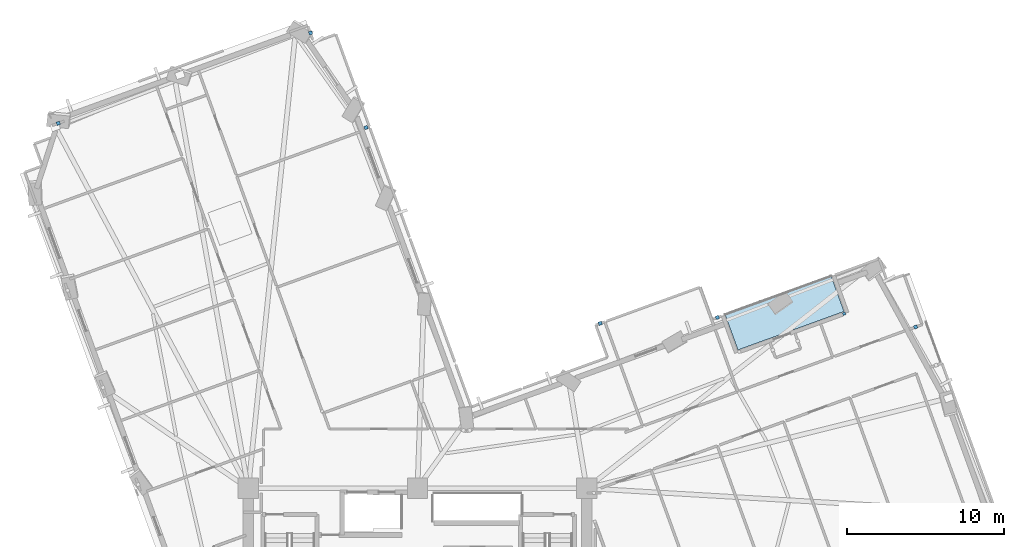
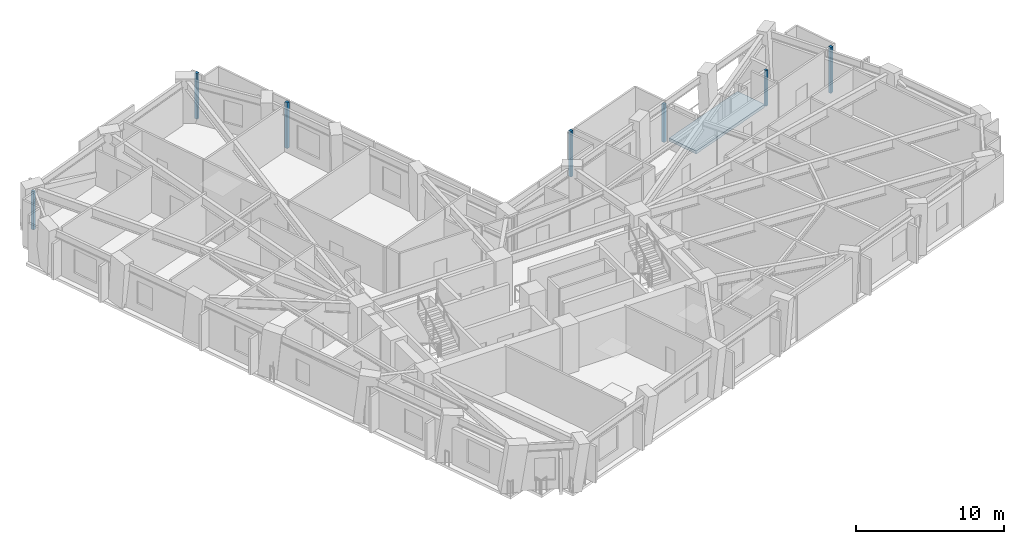
# One storey, part 6 of 17: 7 plates, 1 slab.
"""IFC4 building model written with IfcOpenShell, lengths in metres."""

from ifc_helpers import new_model, si_unit, direction, frame, origin, origin_2d, place, context, subcontext, project, spatial, polyline, rectangle, outline, extrude, material, layer, layer_set, type_object, element, save


model = new_model("IFC4")

# Units and contexts
model_context = context("Model", 3, precision=1e-05, world=origin(), true_north=direction((0.0, 1.0)))
body_context = subcontext(model_context, "Body", "Model", "MODEL_VIEW")
ifc_project = project(units=[si_unit("LENGTHUNIT", "METRE"), si_unit("AREAUNIT", "SQUARE_METRE"), si_unit("VOLUMEUNIT", "CUBIC_METRE"), si_unit("PLANEANGLEUNIT", "RADIAN"), si_unit("MASSUNIT", "GRAM", prefix="KILO")], contexts=[model_context])

# Site, building, storey
site_placement = place(None, origin())
site = spatial("IfcSite", under=ifc_project, at=site_placement, CompositionType="ELEMENT")
building_placement = place(site_placement, origin())
building = spatial("IfcBuilding", under=site, at=building_placement, Name="Gaonmaruhae Medical Tower", CompositionType="ELEMENT")
storey_placement = place(building_placement, frame((0.0, 0.0, 108.39990234375)))
storey = spatial("IfcBuildingStorey", under=building, at=storey_placement, Name="L25", CompositionType="ELEMENT", Elevation=108.39990234375)

# Plates
ifc_material_1 = material(Name="Anodised aluminium 6063-T6", Category="aluminium")
ifc_layer_1 = layer(ifc_material_1, 0.011962890625)
ifc_layer_set_1 = layer_set([ifc_layer_1], Name="Anodised aluminium 6063-T6")
plate_type = type_object("IfcPlateType", Name="PP-01 Interior Partition Corner Stiffener Plate", PredefinedType="SHEET", material=ifc_layer_set_1)
plate_1_placement = place(storey_placement, frame((52.034423828125, 27.938232421875, 0.0), z_axis=(0.0, 0.0, 1.0), x_axis=(0.93999073182, 0.341199976689, 0.0)))
element("IfcPlate", 1, at=plate_1_placement, inside=storey, type_object=plate_type, Name="L25 Partition End Jamb Post Plate PLT-L25-ENDP-TERB-1", PredefinedType="SHEET", context=body_context, shape_type="SweptSolid", body=[
    extrude(rectangle(XDim=0.179931640625, YDim=0.179931640625, at=origin_2d()), origin(), (0.0, 0.0, 1.0), 2.945068359375),
])
plate_2_placement = place(storey_placement, frame((1.87451171875, 40.093017578125, 0.0), z_axis=(0.0, 0.0, 1.0), x_axis=(0.940163308235, 0.340724160941, 0.0)))
element("IfcPlate", 2, at=plate_2_placement, inside=storey, type_object=plate_type, Name="L25 Partition Corner Stiffener Plate PLT-L25-JGP-PW055", PredefinedType="SHEET", context=body_context, shape_type="SweptSolid", body=[
    extrude(rectangle(XDim=0.219970703125, YDim=0.219970703125, at=origin_2d()), origin(), (0.0, 0.0, 1.0), 3.1650390625),
])
plate_3_placement = place(storey_placement, frame((36.4609375, 27.327880859375, 0.0), z_axis=(0.0, 0.0, 1.0), x_axis=(0.93969859002, 0.342003742543, 0.0)))
element("IfcPlate", 3, at=plate_3_placement, inside=storey, type_object=plate_type, Name="L25 Partition Corner Stiffener Plate PLT-L25-JGP-PW075", PredefinedType="SHEET", context=body_context, shape_type="SweptSolid", body=[
    extrude(rectangle(XDim=0.219970703125, YDim=0.219970703125, at=origin_2d()), origin(), (0.0, 0.0, 1.0), 3.780029296875),
])
plate_4_placement = place(storey_placement, frame((43.946044921875, 27.70458984375, 0.0), z_axis=(0.0, 0.0, 1.0), x_axis=(0.939847727847, 0.341593689141, 0.0)))
element("IfcPlate", 4, at=plate_4_placement, inside=storey, type_object=plate_type, Name="L25 Partition Corner Stiffener Plate PLT-L25-JGP-PW088", PredefinedType="SHEET", context=body_context, shape_type="SweptSolid", body=[
    extrude(rectangle(XDim=0.219970703125, YDim=0.219970703125, at=origin_2d()), origin(), (0.0, 0.0, 1.0), 3.14501953125),
])
for number, where, z_axis, x_axis, name in (
    (5, (56.596435546875, 27.093505859375, 0.0), (0.0, 0.0, 1.0), (-0.939960952926, -0.341282005055, 0.0), "L25 Partition Corner Stiffener Plate PLT-L25-JGP-PW093"),
    (6, (21.5185546875, 39.818603515625, 0.0), (0.0, 0.0, 1.0), (-0.939555249392, -0.342397332553, 0.0), "L25 Partition Corner Stiffener Plate PLT-L25-JGP-PW102"),
    (7, (17.9755859375, 45.864013671875, 0.0), (0.0, 0.0, 1.0), (0.341298410417, -0.939954996288, 0.0), "L25 Partition Corner Stiffener Plate PLT-L25-JGP-PW105"),
):
    element("IfcPlate", number, at=place(storey_placement, frame(where, z_axis=z_axis, x_axis=x_axis)), inside=storey, type_object=plate_type, Name=name, PredefinedType="SHEET", context=body_context, shape_type="SweptSolid", body=[
        extrude(rectangle(XDim=0.219970703125, YDim=0.219970703125, at=origin_2d()), origin(), (0.0, 0.0, 1.0), 3.780029296875),
    ])

# Slab
ifc_material_2 = material(Name="Concrete C40/50", Category="concrete")
ifc_layer_2 = layer(ifc_material_2, 0.239990234375)
ifc_layer_set_2 = layer_set([ifc_layer_2], Name="Concrete C40/50")
slab_type = type_object("IfcSlabType", Name="TS-240 Sky Garden & Recovery Terrace Slab", PredefinedType="FLOOR", material=ifc_layer_set_2)
slab_placement = place(storey_placement, frame((0.0, 0.0, -0.239990234375)))
element("IfcSlab", 8, at=slab_placement, inside=storey, type_object=slab_type, Name="L25 Outdoor Recovery Terrace Slab", PredefinedType="FLOOR", context=body_context, shape_type="SweptSolid", body=[
    extrude(outline(polyline([(45.25634765625, 25.626708984375), (52.0244140625, 28.08349609375), (51.20556640625, 30.33935546875), (44.4375, 27.8828125), (45.25634765625, 25.626708984375)])), origin(), (0.0, 0.0, 1.0), 0.239990234375),
])

save(model, "model.ifc")
